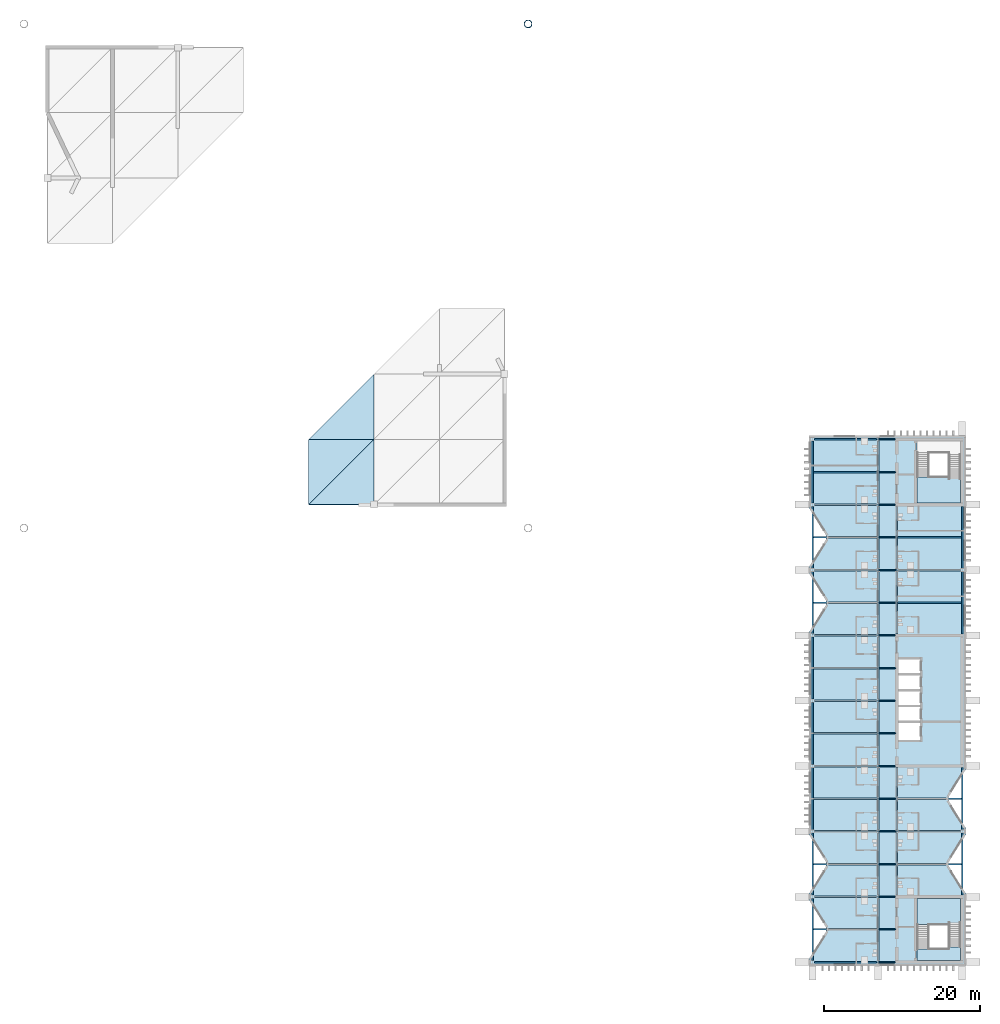
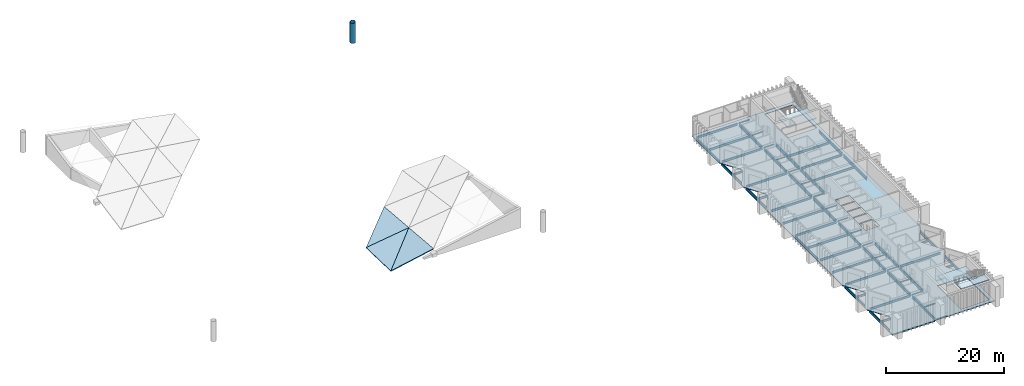
# One storey, part 7 of 17: 64 beams, 7 slabs, 1 column, 2 elements without a shape of their own.
"""IFC4 building model written with IfcOpenShell, lengths in metres."""

from ifc_helpers import new_model, si_unit, direction, frame, origin, origin_2d, place, context, subcontext, project, spatial, polyline, hollow_circle, i_section, outline, extrude, material, layer, layer_set, material_profile, profile_set, type_object, element, aggregate, save


model = new_model("IFC4")

# Units and contexts
model_context = context("Model", 3, precision=1e-05, world=origin(), true_north=direction((0.0, 1.0)))
body_context = subcontext(model_context, "Body", "Model", "MODEL_VIEW")
ifc_project = project(units=[si_unit("LENGTHUNIT", "METRE"), si_unit("AREAUNIT", "SQUARE_METRE"), si_unit("VOLUMEUNIT", "CUBIC_METRE"), si_unit("PLANEANGLEUNIT", "RADIAN"), si_unit("MASSUNIT", "GRAM", prefix="KILO")], contexts=[model_context])

# Site, building, storey
site_placement = place(None, origin())
site = spatial("IfcSite", under=ifc_project, at=site_placement, CompositionType="ELEMENT")
building_placement = place(site_placement, origin())
building = spatial("IfcBuilding", under=site, at=building_placement, Name="Cresset Court Congress Hotel", CompositionType="ELEMENT")
storey_placement = place(building_placement, frame((0.0, 0.0, 31.199951171875)))
storey = spatial("IfcBuildingStorey", under=building, at=storey_placement, Name="L07", CompositionType="ELEMENT", Elevation=31.199951171875)

# Column
ifc_material_1 = material(Name="Structural steel Q355B", Category="steel")
ifc_material_profile_1 = material_profile(ifc_material_1, hollow_circle(Radius=0.508056640625, WallThickness=0.050048828125, at=origin_2d()), Name="CHS1016x50")
ifc_profile_set_1 = profile_set([ifc_material_profile_1], Name="Structural steel Q355B")
column_type = type_object("IfcColumnType", Name="Mast tube 1016x50", PredefinedType="COLUMN", material=ifc_profile_set_1)
column_placement = place(storey_placement, frame((120.60009765625, 120.60009765625, 0.0), z_axis=(0.0, 0.0, 1.0), x_axis=(1.0, 0.0, 0.0)))
element("IfcColumn", 1, at=column_placement, inside=storey, type_object=column_type, Name="Mast M3", PredefinedType="COLUMN", context=body_context, shape_type="SweptSolid", body=[
    extrude(hollow_circle(Radius=0.508056640625, WallThickness=0.050048828125, at=origin_2d()), origin(), (0.0, 0.0, 1.0), 4.199951171875),
])

# Beams
ifc_material_2 = material(Name="Structural steel Q355B", Category="steel")
ifc_material_profile_2 = material_profile(ifc_material_2, i_section(OverallWidth=0.198974609375, OverallDepth=0.446044921875, WebThickness=0.008056640625, FlangeThickness=0.011962890625, FilletRadius=0.012939453125, at=origin_2d()), Name="HN446x199x8x12")
ifc_profile_set_2 = profile_set([ifc_material_profile_2], Name="Structural steel Q355B")
beam_type_1 = type_object("IfcBeamType", Name="Steel beam HN446x199x8x12", PredefinedType="BEAM", material=ifc_profile_set_2)
beam_1_placement = place(storey_placement, frame((157.39990234375, 0.0, -0.373046875), z_axis=(1.0, 0.0, 0.0), x_axis=(0.0, 1.0, 0.0)))
element("IfcBeam", 2, at=beam_1_placement, inside=storey, type_object=beam_type_1, Name="A.bm.L07.W.frame0.0", PredefinedType="BEAM", context=body_context, shape_type="SweptSolid", body=[
    extrude(i_section(OverallWidth=0.198974609375, OverallDepth=0.446044921875, WebThickness=0.008056640625, FlangeThickness=0.011962890625, FilletRadius=0.012939453125, at=origin_2d()), origin(), (0.0, 0.0, 1.0), 8.0),
])
beam_2_placement = place(storey_placement, frame((157.300048828125, 4.199951171875, -0.373046875), z_axis=(1.0, 0.0, 0.0), x_axis=(0.0, 1.0, 0.0)))
element("IfcBeam", 3, at=beam_2_placement, inside=storey, type_object=beam_type_1, Name="A.bm.L07.W.mid.0", PredefinedType="BEAM", context=body_context, shape_type="SweptSolid", body=[
    extrude(i_section(OverallWidth=0.198974609375, OverallDepth=0.446044921875, WebThickness=0.008056640625, FlangeThickness=0.011962890625, FilletRadius=0.012939453125, at=origin_2d()), origin(), (0.0, 0.0, 1.0), 8.199951171875),
])
beam_3_placement = place(storey_placement, frame((157.39990234375, 8.39990234375, -0.373046875), z_axis=(1.0, 0.0, 0.0), x_axis=(0.0, 1.0, 0.0)))
element("IfcBeam", 4, at=beam_3_placement, inside=storey, type_object=beam_type_1, Name="A.bm.L07.W.frame0.1", PredefinedType="BEAM", context=body_context, shape_type="SweptSolid", body=[
    extrude(i_section(OverallWidth=0.198974609375, OverallDepth=0.446044921875, WebThickness=0.008056640625, FlangeThickness=0.011962890625, FilletRadius=0.012939453125, at=origin_2d()), origin(), (0.0, 0.0, 1.0), 8.0),
])
for number, where, z_axis, x_axis, name in (
    (5, (157.300048828125, 12.60009765625, -0.373046875), (1.0, 0.0, 0.0), (0.0, 1.0, 0.0), "A.bm.L07.W.mid.1"),
    (6, (168.10009765625, 12.60009765625, -0.373046875), (1.0, 0.0, 0.0), (0.0, 1.0, 0.0), "A.bm.L07.E.mid.1"),
):
    element("IfcBeam", number, at=place(storey_placement, frame(where, z_axis=z_axis, x_axis=x_axis)), inside=storey, type_object=beam_type_1, Name=name, PredefinedType="BEAM", context=body_context, shape_type="SweptSolid", body=[
        extrude(i_section(OverallWidth=0.198974609375, OverallDepth=0.446044921875, WebThickness=0.008056640625, FlangeThickness=0.011962890625, FilletRadius=0.012939453125, at=origin_2d()), origin(), (0.0, 0.0, 1.0), 8.199951171875),
    ])
for number, where, z_axis, x_axis, name in (
    (7, (157.39990234375, 16.800048828125, -0.373046875), (1.0, 0.0, 0.0), (0.0, 1.0, 0.0), "A.bm.L07.W.frame0.2"),
    (8, (168.199951171875, 16.800048828125, -0.373046875), (1.0, 0.0, 0.0), (0.0, 1.0, 0.0), "A.bm.L07.E.frame0.2"),
):
    element("IfcBeam", number, at=place(storey_placement, frame(where, z_axis=z_axis, x_axis=x_axis)), inside=storey, type_object=beam_type_1, Name=name, PredefinedType="BEAM", context=body_context, shape_type="SweptSolid", body=[
        extrude(i_section(OverallWidth=0.198974609375, OverallDepth=0.446044921875, WebThickness=0.008056640625, FlangeThickness=0.011962890625, FilletRadius=0.012939453125, at=origin_2d()), origin(), (0.0, 0.0, 1.0), 8.0),
    ])
for number, where, z_axis, x_axis, name in (
    (9, (157.300048828125, 21.0, -0.373046875), (1.0, 0.0, 0.0), (0.0, 1.0, 0.0), "A.bm.L07.W.mid.2"),
    (10, (168.10009765625, 21.0, -0.373046875), (1.0, 0.0, 0.0), (0.0, 1.0, 0.0), "A.bm.L07.E.mid.2"),
):
    element("IfcBeam", number, at=place(storey_placement, frame(where, z_axis=z_axis, x_axis=x_axis)), inside=storey, type_object=beam_type_1, Name=name, PredefinedType="BEAM", context=body_context, shape_type="SweptSolid", body=[
        extrude(i_section(OverallWidth=0.198974609375, OverallDepth=0.446044921875, WebThickness=0.008056640625, FlangeThickness=0.011962890625, FilletRadius=0.012939453125, at=origin_2d()), origin(), (0.0, 0.0, 1.0), 8.199951171875),
    ])
beam_4_placement = place(storey_placement, frame((157.39990234375, 25.199951171875, -0.373046875), z_axis=(1.0, 0.0, 0.0), x_axis=(0.0, 1.0, 0.0)))
element("IfcBeam", 11, at=beam_4_placement, inside=storey, type_object=beam_type_1, Name="A.bm.L07.W.frame0.3", PredefinedType="BEAM", context=body_context, shape_type="SweptSolid", body=[
    extrude(i_section(OverallWidth=0.198974609375, OverallDepth=0.446044921875, WebThickness=0.008056640625, FlangeThickness=0.011962890625, FilletRadius=0.012939453125, at=origin_2d()), origin(), (0.0, 0.0, 1.0), 8.0),
])
beam_5_placement = place(storey_placement, frame((157.300048828125, 29.39990234375, -0.373046875), z_axis=(1.0, 0.0, 0.0), x_axis=(0.0, 1.0, 0.0)))
element("IfcBeam", 12, at=beam_5_placement, inside=storey, type_object=beam_type_1, Name="A.bm.L07.W.mid.3", PredefinedType="BEAM", context=body_context, shape_type="SweptSolid", body=[
    extrude(i_section(OverallWidth=0.198974609375, OverallDepth=0.446044921875, WebThickness=0.008056640625, FlangeThickness=0.011962890625, FilletRadius=0.012939453125, at=origin_2d()), origin(), (0.0, 0.0, 1.0), 8.199951171875),
])
beam_6_placement = place(storey_placement, frame((157.39990234375, 33.60009765625, -0.373046875), z_axis=(1.0, 0.0, 0.0), x_axis=(0.0, 1.0, 0.0)))
element("IfcBeam", 13, at=beam_6_placement, inside=storey, type_object=beam_type_1, Name="A.bm.L07.W.frame0.4", PredefinedType="BEAM", context=body_context, shape_type="SweptSolid", body=[
    extrude(i_section(OverallWidth=0.198974609375, OverallDepth=0.446044921875, WebThickness=0.008056640625, FlangeThickness=0.011962890625, FilletRadius=0.012939453125, at=origin_2d()), origin(), (0.0, 0.0, 1.0), 8.0),
])
beam_7_placement = place(storey_placement, frame((157.300048828125, 37.800048828125, -0.373046875), z_axis=(1.0, 0.0, 0.0), x_axis=(0.0, 1.0, 0.0)))
element("IfcBeam", 14, at=beam_7_placement, inside=storey, type_object=beam_type_1, Name="A.bm.L07.W.mid.4", PredefinedType="BEAM", context=body_context, shape_type="SweptSolid", body=[
    extrude(i_section(OverallWidth=0.198974609375, OverallDepth=0.446044921875, WebThickness=0.008056640625, FlangeThickness=0.011962890625, FilletRadius=0.012939453125, at=origin_2d()), origin(), (0.0, 0.0, 1.0), 8.199951171875),
])
beam_8_placement = place(storey_placement, frame((157.39990234375, 42.0, -0.373046875), z_axis=(1.0, 0.0, 0.0), x_axis=(0.0, 1.0, 0.0)))
element("IfcBeam", 15, at=beam_8_placement, inside=storey, type_object=beam_type_1, Name="A.bm.L07.W.frame0.5", PredefinedType="BEAM", context=body_context, shape_type="SweptSolid", body=[
    extrude(i_section(OverallWidth=0.198974609375, OverallDepth=0.446044921875, WebThickness=0.008056640625, FlangeThickness=0.011962890625, FilletRadius=0.012939453125, at=origin_2d()), origin(), (0.0, 0.0, 1.0), 8.0),
])
for number, where, z_axis, x_axis, name in (
    (16, (157.300048828125, 46.199951171875, -0.373046875), (1.0, 0.0, 0.0), (0.0, 1.0, 0.0), "A.bm.L07.W.mid.5"),
    (17, (168.10009765625, 46.199951171875, -0.373046875), (1.0, 0.0, 0.0), (0.0, 1.0, 0.0), "A.bm.L07.E.mid.5"),
):
    element("IfcBeam", number, at=place(storey_placement, frame(where, z_axis=z_axis, x_axis=x_axis)), inside=storey, type_object=beam_type_1, Name=name, PredefinedType="BEAM", context=body_context, shape_type="SweptSolid", body=[
        extrude(i_section(OverallWidth=0.198974609375, OverallDepth=0.446044921875, WebThickness=0.008056640625, FlangeThickness=0.011962890625, FilletRadius=0.012939453125, at=origin_2d()), origin(), (0.0, 0.0, 1.0), 8.199951171875),
    ])
for number, where, z_axis, x_axis, name in (
    (18, (157.39990234375, 50.39990234375, -0.373046875), (1.0, 0.0, 0.0), (0.0, 1.0, 0.0), "A.bm.L07.W.frame0.6"),
    (19, (168.199951171875, 50.39990234375, -0.373046875), (1.0, 0.0, 0.0), (0.0, 1.0, 0.0), "A.bm.L07.E.frame0.6"),
):
    element("IfcBeam", number, at=place(storey_placement, frame(where, z_axis=z_axis, x_axis=x_axis)), inside=storey, type_object=beam_type_1, Name=name, PredefinedType="BEAM", context=body_context, shape_type="SweptSolid", body=[
        extrude(i_section(OverallWidth=0.198974609375, OverallDepth=0.446044921875, WebThickness=0.008056640625, FlangeThickness=0.011962890625, FilletRadius=0.012939453125, at=origin_2d()), origin(), (0.0, 0.0, 1.0), 8.0),
    ])
for number, where, z_axis, x_axis, name in (
    (20, (157.300048828125, 54.60009765625, -0.373046875), (1.0, 0.0, 0.0), (0.0, 1.0, 0.0), "A.bm.L07.W.mid.6"),
    (21, (168.10009765625, 54.60009765625, -0.373046875), (1.0, 0.0, 0.0), (0.0, 1.0, 0.0), "A.bm.L07.E.mid.6"),
):
    element("IfcBeam", number, at=place(storey_placement, frame(where, z_axis=z_axis, x_axis=x_axis)), inside=storey, type_object=beam_type_1, Name=name, PredefinedType="BEAM", context=body_context, shape_type="SweptSolid", body=[
        extrude(i_section(OverallWidth=0.198974609375, OverallDepth=0.446044921875, WebThickness=0.008056640625, FlangeThickness=0.011962890625, FilletRadius=0.012939453125, at=origin_2d()), origin(), (0.0, 0.0, 1.0), 8.199951171875),
    ])
beam_9_placement = place(storey_placement, frame((157.39990234375, 58.800048828125, -0.373046875), z_axis=(1.0, 0.0, 0.0), x_axis=(0.0, 1.0, 0.0)))
element("IfcBeam", 22, at=beam_9_placement, inside=storey, type_object=beam_type_1, Name="A.bm.L07.W.frame0.7", PredefinedType="BEAM", context=body_context, shape_type="SweptSolid", body=[
    extrude(i_section(OverallWidth=0.198974609375, OverallDepth=0.446044921875, WebThickness=0.008056640625, FlangeThickness=0.011962890625, FilletRadius=0.012939453125, at=origin_2d()), origin(), (0.0, 0.0, 1.0), 8.0),
])
beam_10_placement = place(storey_placement, frame((157.300048828125, 63.0, -0.373046875), z_axis=(1.0, 0.0, 0.0), x_axis=(0.0, 1.0, 0.0)))
element("IfcBeam", 23, at=beam_10_placement, inside=storey, type_object=beam_type_1, Name="A.bm.L07.W.mid.7", PredefinedType="BEAM", context=body_context, shape_type="SweptSolid", body=[
    extrude(i_section(OverallWidth=0.198974609375, OverallDepth=0.446044921875, WebThickness=0.008056640625, FlangeThickness=0.011962890625, FilletRadius=0.012939453125, at=origin_2d()), origin(), (0.0, 0.0, 1.0), 8.199951171875),
])
beam_11_placement = place(storey_placement, frame((157.39990234375, 67.199951171875, -0.373046875), z_axis=(1.0, 0.0, 0.0), x_axis=(0.0, 1.0, 0.0)))
element("IfcBeam", 24, at=beam_11_placement, inside=storey, type_object=beam_type_1, Name="A.bm.L07.W.frame1.7", PredefinedType="BEAM", context=body_context, shape_type="SweptSolid", body=[
    extrude(i_section(OverallWidth=0.198974609375, OverallDepth=0.446044921875, WebThickness=0.008056640625, FlangeThickness=0.011962890625, FilletRadius=0.012939453125, at=origin_2d()), origin(), (0.0, 0.0, 1.0), 8.0),
])
ifc_material_3 = material(Name="Structural steel Q355B", Category="steel")
ifc_material_profile_3 = material_profile(ifc_material_3, i_section(OverallWidth=0.125, OverallDepth=0.25, WebThickness=0.006103515625, FlangeThickness=0.009033203125, FilletRadius=0.012939453125, at=origin_2d()), Name="HN250x125x6x9")
ifc_profile_set_3 = profile_set([ifc_material_profile_3], Name="Structural steel Q355B")
beam_type_2 = type_object("IfcBeamType", Name="Steel corridor beam HN250x125x6x9", PredefinedType="BEAM", material=ifc_profile_set_3)
beam_12_placement = place(storey_placement, frame((165.6064453125, 0.0, -0.27490234375), z_axis=(1.0, 0.0, 0.0), x_axis=(0.0, 1.0, 0.0)))
element("IfcBeam", 25, at=beam_12_placement, inside=storey, type_object=beam_type_2, Name="A.bm.L07.C.frame0.0", PredefinedType="BEAM", context=body_context, shape_type="SweptSolid", body=[
    extrude(i_section(OverallWidth=0.125, OverallDepth=0.25, WebThickness=0.006103515625, FlangeThickness=0.009033203125, FilletRadius=0.012939453125, at=origin_2d()), origin(), (0.0, 0.0, 1.0), 2.193603515625),
])
beam_13_placement = place(storey_placement, frame((165.699951171875, 4.199951171875, -0.27490234375), z_axis=(1.0, 0.0, 0.0), x_axis=(0.0, 1.0, 0.0)))
element("IfcBeam", 26, at=beam_13_placement, inside=storey, type_object=beam_type_2, Name="A.bm.L07.C.mid.0", PredefinedType="BEAM", context=body_context, shape_type="SweptSolid", body=[
    extrude(i_section(OverallWidth=0.125, OverallDepth=0.25, WebThickness=0.006103515625, FlangeThickness=0.009033203125, FilletRadius=0.012939453125, at=origin_2d()), origin(), (0.0, 0.0, 1.0), 2.199951171875),
])
beam_14_placement = place(storey_placement, frame((165.6064453125, 8.39990234375, -0.27490234375), z_axis=(1.0, 0.0, 0.0), x_axis=(0.0, 1.0, 0.0)))
element("IfcBeam", 27, at=beam_14_placement, inside=storey, type_object=beam_type_2, Name="A.bm.L07.C.frame0.1", PredefinedType="BEAM", context=body_context, shape_type="SweptSolid", body=[
    extrude(i_section(OverallWidth=0.125, OverallDepth=0.25, WebThickness=0.006103515625, FlangeThickness=0.009033203125, FilletRadius=0.012939453125, at=origin_2d()), origin(), (0.0, 0.0, 1.0), 2.193603515625),
])
beam_15_placement = place(storey_placement, frame((165.699951171875, 12.60009765625, -0.27490234375), z_axis=(1.0, 0.0, 0.0), x_axis=(0.0, 1.0, 0.0)))
element("IfcBeam", 28, at=beam_15_placement, inside=storey, type_object=beam_type_2, Name="A.bm.L07.C.mid.1", PredefinedType="BEAM", context=body_context, shape_type="SweptSolid", body=[
    extrude(i_section(OverallWidth=0.125, OverallDepth=0.25, WebThickness=0.006103515625, FlangeThickness=0.009033203125, FilletRadius=0.012939453125, at=origin_2d()), origin(), (0.0, 0.0, 1.0), 2.199951171875),
])
beam_16_placement = place(storey_placement, frame((165.6064453125, 16.800048828125, -0.27490234375), z_axis=(1.0, 0.0, 0.0), x_axis=(0.0, 1.0, 0.0)))
element("IfcBeam", 29, at=beam_16_placement, inside=storey, type_object=beam_type_2, Name="A.bm.L07.C.frame0.2", PredefinedType="BEAM", context=body_context, shape_type="SweptSolid", body=[
    extrude(i_section(OverallWidth=0.125, OverallDepth=0.25, WebThickness=0.006103515625, FlangeThickness=0.009033203125, FilletRadius=0.012939453125, at=origin_2d()), origin(), (0.0, 0.0, 1.0), 2.386962890625),
])
beam_17_placement = place(storey_placement, frame((165.699951171875, 21.0, -0.27490234375), z_axis=(1.0, 0.0, 0.0), x_axis=(0.0, 1.0, 0.0)))
element("IfcBeam", 30, at=beam_17_placement, inside=storey, type_object=beam_type_2, Name="A.bm.L07.C.mid.2", PredefinedType="BEAM", context=body_context, shape_type="SweptSolid", body=[
    extrude(i_section(OverallWidth=0.125, OverallDepth=0.25, WebThickness=0.006103515625, FlangeThickness=0.009033203125, FilletRadius=0.012939453125, at=origin_2d()), origin(), (0.0, 0.0, 1.0), 2.199951171875),
])
beam_18_placement = place(storey_placement, frame((165.6064453125, 25.199951171875, -0.27490234375), z_axis=(1.0, 0.0, 0.0), x_axis=(0.0, 1.0, 0.0)))
element("IfcBeam", 31, at=beam_18_placement, inside=storey, type_object=beam_type_2, Name="A.bm.L07.C.frame0.3", PredefinedType="BEAM", context=body_context, shape_type="SweptSolid", body=[
    extrude(i_section(OverallWidth=0.125, OverallDepth=0.25, WebThickness=0.006103515625, FlangeThickness=0.009033203125, FilletRadius=0.012939453125, at=origin_2d()), origin(), (0.0, 0.0, 1.0), 2.193603515625),
])
beam_19_placement = place(storey_placement, frame((165.699951171875, 29.39990234375, -0.27490234375), z_axis=(1.0, 0.0, 0.0), x_axis=(0.0, 1.0, 0.0)))
element("IfcBeam", 32, at=beam_19_placement, inside=storey, type_object=beam_type_2, Name="A.bm.L07.C.mid.3", PredefinedType="BEAM", context=body_context, shape_type="SweptSolid", body=[
    extrude(i_section(OverallWidth=0.125, OverallDepth=0.25, WebThickness=0.006103515625, FlangeThickness=0.009033203125, FilletRadius=0.012939453125, at=origin_2d()), origin(), (0.0, 0.0, 1.0), 2.199951171875),
])
beam_20_placement = place(storey_placement, frame((165.6064453125, 33.60009765625, -0.27490234375), z_axis=(1.0, 0.0, 0.0), x_axis=(0.0, 1.0, 0.0)))
element("IfcBeam", 33, at=beam_20_placement, inside=storey, type_object=beam_type_2, Name="A.bm.L07.C.frame0.4", PredefinedType="BEAM", context=body_context, shape_type="SweptSolid", body=[
    extrude(i_section(OverallWidth=0.125, OverallDepth=0.25, WebThickness=0.006103515625, FlangeThickness=0.009033203125, FilletRadius=0.012939453125, at=origin_2d()), origin(), (0.0, 0.0, 1.0), 2.193603515625),
])
beam_21_placement = place(storey_placement, frame((165.699951171875, 37.800048828125, -0.27490234375), z_axis=(1.0, 0.0, 0.0), x_axis=(0.0, 1.0, 0.0)))
element("IfcBeam", 34, at=beam_21_placement, inside=storey, type_object=beam_type_2, Name="A.bm.L07.C.mid.4", PredefinedType="BEAM", context=body_context, shape_type="SweptSolid", body=[
    extrude(i_section(OverallWidth=0.125, OverallDepth=0.25, WebThickness=0.006103515625, FlangeThickness=0.009033203125, FilletRadius=0.012939453125, at=origin_2d()), origin(), (0.0, 0.0, 1.0), 2.199951171875),
])
beam_22_placement = place(storey_placement, frame((165.6064453125, 42.0, -0.27490234375), z_axis=(1.0, 0.0, 0.0), x_axis=(0.0, 1.0, 0.0)))
element("IfcBeam", 35, at=beam_22_placement, inside=storey, type_object=beam_type_2, Name="A.bm.L07.C.frame0.5", PredefinedType="BEAM", context=body_context, shape_type="SweptSolid", body=[
    extrude(i_section(OverallWidth=0.125, OverallDepth=0.25, WebThickness=0.006103515625, FlangeThickness=0.009033203125, FilletRadius=0.012939453125, at=origin_2d()), origin(), (0.0, 0.0, 1.0), 2.193603515625),
])
beam_23_placement = place(storey_placement, frame((165.699951171875, 46.199951171875, -0.27490234375), z_axis=(1.0, 0.0, 0.0), x_axis=(0.0, 1.0, 0.0)))
element("IfcBeam", 36, at=beam_23_placement, inside=storey, type_object=beam_type_2, Name="A.bm.L07.C.mid.5", PredefinedType="BEAM", context=body_context, shape_type="SweptSolid", body=[
    extrude(i_section(OverallWidth=0.125, OverallDepth=0.25, WebThickness=0.006103515625, FlangeThickness=0.009033203125, FilletRadius=0.012939453125, at=origin_2d()), origin(), (0.0, 0.0, 1.0), 2.199951171875),
])
beam_24_placement = place(storey_placement, frame((165.6064453125, 50.39990234375, -0.27490234375), z_axis=(1.0, 0.0, 0.0), x_axis=(0.0, 1.0, 0.0)))
element("IfcBeam", 37, at=beam_24_placement, inside=storey, type_object=beam_type_2, Name="A.bm.L07.C.frame0.6", PredefinedType="BEAM", context=body_context, shape_type="SweptSolid", body=[
    extrude(i_section(OverallWidth=0.125, OverallDepth=0.25, WebThickness=0.006103515625, FlangeThickness=0.009033203125, FilletRadius=0.012939453125, at=origin_2d()), origin(), (0.0, 0.0, 1.0), 2.386962890625),
])
beam_25_placement = place(storey_placement, frame((165.699951171875, 54.60009765625, -0.27490234375), z_axis=(1.0, 0.0, 0.0), x_axis=(0.0, 1.0, 0.0)))
element("IfcBeam", 38, at=beam_25_placement, inside=storey, type_object=beam_type_2, Name="A.bm.L07.C.mid.6", PredefinedType="BEAM", context=body_context, shape_type="SweptSolid", body=[
    extrude(i_section(OverallWidth=0.125, OverallDepth=0.25, WebThickness=0.006103515625, FlangeThickness=0.009033203125, FilletRadius=0.012939453125, at=origin_2d()), origin(), (0.0, 0.0, 1.0), 2.199951171875),
])
beam_26_placement = place(storey_placement, frame((165.6064453125, 58.800048828125, -0.27490234375), z_axis=(1.0, 0.0, 0.0), x_axis=(0.0, 1.0, 0.0)))
element("IfcBeam", 39, at=beam_26_placement, inside=storey, type_object=beam_type_2, Name="A.bm.L07.C.frame0.7", PredefinedType="BEAM", context=body_context, shape_type="SweptSolid", body=[
    extrude(i_section(OverallWidth=0.125, OverallDepth=0.25, WebThickness=0.006103515625, FlangeThickness=0.009033203125, FilletRadius=0.012939453125, at=origin_2d()), origin(), (0.0, 0.0, 1.0), 2.193603515625),
])
beam_27_placement = place(storey_placement, frame((165.699951171875, 63.0, -0.27490234375), z_axis=(1.0, 0.0, 0.0), x_axis=(0.0, 1.0, 0.0)))
element("IfcBeam", 40, at=beam_27_placement, inside=storey, type_object=beam_type_2, Name="A.bm.L07.C.mid.7", PredefinedType="BEAM", context=body_context, shape_type="SweptSolid", body=[
    extrude(i_section(OverallWidth=0.125, OverallDepth=0.25, WebThickness=0.006103515625, FlangeThickness=0.009033203125, FilletRadius=0.012939453125, at=origin_2d()), origin(), (0.0, 0.0, 1.0), 2.199951171875),
])
beam_28_placement = place(storey_placement, frame((165.6064453125, 67.199951171875, -0.27490234375), z_axis=(1.0, 0.0, 0.0), x_axis=(0.0, 1.0, 0.0)))
element("IfcBeam", 41, at=beam_28_placement, inside=storey, type_object=beam_type_2, Name="A.bm.L07.C.frame1.7", PredefinedType="BEAM", context=body_context, shape_type="SweptSolid", body=[
    extrude(i_section(OverallWidth=0.125, OverallDepth=0.25, WebThickness=0.006103515625, FlangeThickness=0.009033203125, FilletRadius=0.012939453125, at=origin_2d()), origin(), (0.0, 0.0, 1.0), 2.193603515625),
])
ifc_material_4 = material(Name="Structural steel Q355B", Category="steel")
ifc_material_profile_4 = material_profile(ifc_material_4, i_section(OverallWidth=0.199951171875, OverallDepth=0.60009765625, WebThickness=0.010986328125, FlangeThickness=0.01708984375, FilletRadius=0.012939453125, at=origin_2d()), Name="HN600x200x11x17")
ifc_profile_set_4 = profile_set([ifc_material_profile_4], Name="Structural steel Q355B")
beam_type_3 = type_object("IfcBeamType", Name="Steel girder HN600x200x11x17", PredefinedType="BEAM", material=ifc_profile_set_4)
for number, where, z_axis, x_axis, name in (
    (42, (157.199951171875, 0.199951171875, -0.449951171875), (0.0, 1.0, 0.0), (-1.0, 0.0, 0.0), "A.gir.L07.0.0"),
    (43, (157.199951171875, 8.60009765625, -0.449951171875), (0.0, 1.0, 0.0), (-1.0, 0.0, 0.0), "A.gir.L07.0.1"),
    (44, (157.199951171875, 17.0, -0.449951171875), (0.0, 1.0, 0.0), (-1.0, 0.0, 0.0), "A.gir.L07.0.2"),
    (45, (157.199951171875, 25.39990234375, -0.449951171875), (0.0, 1.0, 0.0), (-1.0, 0.0, 0.0), "A.gir.L07.0.3"),
    (46, (157.199951171875, 33.800048828125, -0.449951171875), (0.0, 1.0, 0.0), (-1.0, 0.0, 0.0), "A.gir.L07.0.4"),
    (47, (157.199951171875, 42.199951171875, -0.449951171875), (0.0, 1.0, 0.0), (-1.0, 0.0, 0.0), "A.gir.L07.0.5"),
    (48, (157.199951171875, 50.60009765625, -0.449951171875), (0.0, 1.0, 0.0), (-1.0, 0.0, 0.0), "A.gir.L07.0.6"),
    (49, (157.199951171875, 59.0, -0.449951171875), (0.0, 1.0, 0.0), (-1.0, 0.0, 0.0), "A.gir.L07.0.7"),
    (50, (165.60009765625, 0.199951171875, -0.449951171875), (0.0, 1.0, 0.0), (-1.0, 0.0, 0.0), "A.gir.L07.1.0"),
    (51, (165.60009765625, 8.60009765625, -0.449951171875), (0.0, 1.0, 0.0), (-1.0, 0.0, 0.0), "A.gir.L07.1.1"),
    (52, (165.60009765625, 17.0, -0.449951171875), (0.0, 1.0, 0.0), (-1.0, 0.0, 0.0), "A.gir.L07.1.2"),
    (53, (165.60009765625, 25.39990234375, -0.449951171875), (0.0, 1.0, 0.0), (-1.0, 0.0, 0.0), "A.gir.L07.1.3"),
    (54, (165.60009765625, 33.800048828125, -0.449951171875), (0.0, 1.0, 0.0), (-1.0, 0.0, 0.0), "A.gir.L07.1.4"),
    (55, (165.60009765625, 42.199951171875, -0.449951171875), (0.0, 1.0, 0.0), (-1.0, 0.0, 0.0), "A.gir.L07.1.5"),
    (56, (165.60009765625, 50.60009765625, -0.449951171875), (0.0, 1.0, 0.0), (-1.0, 0.0, 0.0), "A.gir.L07.1.6"),
    (57, (165.60009765625, 59.0, -0.449951171875), (0.0, 1.0, 0.0), (-1.0, 0.0, 0.0), "A.gir.L07.1.7"),
    (58, (168.0, 8.60009765625, -0.449951171875), (0.0, 1.0, 0.0), (-1.0, 0.0, 0.0), "A.gir.L07.2.1"),
    (59, (168.0, 17.0, -0.449951171875), (0.0, 1.0, 0.0), (-1.0, 0.0, 0.0), "A.gir.L07.2.2"),
    (60, (168.0, 42.199951171875, -0.449951171875), (0.0, 1.0, 0.0), (-1.0, 0.0, 0.0), "A.gir.L07.2.5"),
    (61, (168.0, 50.60009765625, -0.449951171875), (0.0, 1.0, 0.0), (-1.0, 0.0, 0.0), "A.gir.L07.2.6"),
    (62, (176.39990234375, 8.60009765625, -0.449951171875), (0.0, 1.0, 0.0), (-1.0, 0.0, 0.0), "A.gir.L07.3.1"),
    (63, (176.39990234375, 17.0, -0.449951171875), (0.0, 1.0, 0.0), (-1.0, 0.0, 0.0), "A.gir.L07.3.2"),
    (64, (176.39990234375, 42.199951171875, -0.449951171875), (0.0, 1.0, 0.0), (-1.0, 0.0, 0.0), "A.gir.L07.3.5"),
    (65, (176.39990234375, 50.60009765625, -0.449951171875), (0.0, 1.0, 0.0), (-1.0, 0.0, 0.0), "A.gir.L07.3.6"),
):
    element("IfcBeam", number, at=place(storey_placement, frame(where, z_axis=z_axis, x_axis=x_axis)), inside=storey, type_object=beam_type_3, Name=name, PredefinedType="BEAM", context=body_context, shape_type="SweptSolid", body=[
        extrude(i_section(OverallWidth=0.199951171875, OverallDepth=0.60009765625, WebThickness=0.010986328125, FlangeThickness=0.01708984375, FilletRadius=0.012939453125, at=origin_2d()), origin(), (0.0, 0.0, 1.0), 8.0),
    ])

# Slabs
ifc_material_5 = material(Name="Concrete C35", Category="concrete")
ifc_layer_1 = layer(ifc_material_5, 0.14990234375)
ifc_layer_set_1 = layer_set([ifc_layer_1], Name="Composite floor slab 150")
slab_type_1 = type_object("IfcSlabType", Name="Composite floor slab 150", PredefinedType="FLOOR", material=ifc_layer_set_1)
slab_1_placement = place(storey_placement, frame((0.0, 0.0, -0.14990234375)))
element("IfcSlab", 66, at=slab_1_placement, inside=storey, type_object=slab_type_1, Name="A.slab.L07", PredefinedType="FLOOR", context=body_context, shape_type="SweptSolid", body=[
    extrude(outline(polyline([(156.699951171875, -0.5), (176.89990234375, -0.5), (176.89990234375, 8.7900390625), (174.665283203125, 12.375), (174.665283203125, 12.824951171875), (176.89990234375, 16.409912109375), (176.89990234375, 17.190185546875), (174.665283203125, 20.77490234375), (174.665283203125, 21.22509765625), (176.89990234375, 24.809814453125), (176.89990234375, 67.699951171875), (156.699951171875, 67.699951171875), (156.699951171875, 58.409912109375), (158.934814453125, 54.824951171875), (158.934814453125, 54.375), (156.699951171875, 50.7900390625), (156.699951171875, 50.010009765625), (158.934814453125, 46.425048828125), (158.934814453125, 45.97509765625), (156.699951171875, 42.39013671875), (156.699951171875, 16.409912109375), (158.934814453125, 12.824951171875), (158.934814453125, 12.375), (156.699951171875, 8.7900390625), (156.699951171875, 8.010009765625), (158.934814453125, 4.425048828125), (158.934814453125, 3.97509765625), (156.699951171875, 0.39013671875), (156.699951171875, -0.5)]), holes=[polyline([(170.60009765625, 0.199951171875), (176.199951171875, 0.199951171875), (176.199951171875, 8.199951171875), (170.60009765625, 8.199951171875), (170.60009765625, 0.199951171875)]), polyline([(170.60009765625, 59.0), (176.199951171875, 59.0), (176.199951171875, 67.0), (170.60009765625, 67.0), (170.60009765625, 59.0)]), polyline([(168.25, 28.550048828125), (171.0, 28.550048828125), (171.0, 30.75), (168.25, 30.75), (168.25, 28.550048828125)]), polyline([(168.25, 31.0), (171.0, 31.0), (171.0, 32.800048828125), (168.25, 32.800048828125), (168.25, 31.0)]), polyline([(168.25, 33.050048828125), (171.0, 33.050048828125), (171.0, 34.85009765625), (168.25, 34.85009765625), (168.25, 33.050048828125)]), polyline([(168.25, 35.10009765625), (171.0, 35.10009765625), (171.0, 36.89990234375), (168.25, 36.89990234375), (168.25, 35.10009765625)]), polyline([(168.25, 37.14990234375), (171.0, 37.14990234375), (171.0, 38.949951171875), (168.25, 38.949951171875), (168.25, 37.14990234375)])]), origin(), (0.0, 0.0, 1.0), 0.14990234375),
])
ifc_material_6 = material(Name="Titanium-zinc standing seam roof panel")
ifc_layer_2 = layer(ifc_material_6, 0.14990234375)
ifc_layer_set_2 = layer_set([ifc_layer_2], Name="Roof cover facet 150")
slab_type_2 = type_object("IfcSlabType", Name="Roof cover facet 150", PredefinedType="ROOF", material=ifc_layer_set_2)
slab_2_placement = place(storey_placement, frame((92.39990234375, 58.800048828125, -0.2265625), z_axis=(-0.196066467965, 0.084051211162, 0.976981747036), x_axis=(0.9804511359, 0.0, 0.196762725416)))
element("IfcSlab", 67, at=slab_2_placement, inside=storey, type_object=slab_type_2, Name="Roof panel RP-51A", PredefinedType="ROOF", context=body_context, shape_type="SweptSolid", body=[
    extrude(outline(polyline([(0.0, 0.0), (8.567633997044904, 0.0), (8.425442183756026, 8.429731486140852), (0.0, 0.0)])), origin(), (0.0, 0.0, -1.0), 0.14990234375),
])
slab_3_placement = place(storey_placement, frame((92.39990234375, 58.800048828125, -0.2265625), z_axis=(-0.141835415136, 0.028385162926, 0.989483197199), x_axis=(0.704804407959, 0.704783923627, 0.080810689377)))
element("IfcSlab", 68, at=slab_3_placement, inside=storey, type_object=slab_type_2, Name="Roof panel RP-51B", PredefinedType="ROOF", context=body_context, shape_type="SweptSolid", body=[
    extrude(outline(polyline([(0.0, 0.0), (11.918407985979082, -2.498001805406602e-16), (5.900643438942314, 5.983212463902647), (0.0, 0.0)])), origin(), (0.0, 0.0, -1.0), 0.14990234375),
])
slab_4_placement = place(storey_placement, frame((92.39990234375, 67.199951171875, -0.467529296875), z_axis=(-0.141381213468, 0.084822994861, 0.986314560382), x_axis=(0.989882060194, 0.0, 0.141892589324)))
element("IfcSlab", 69, at=slab_4_placement, inside=storey, type_object=slab_type_2, Name="Roof panel RP-52A", PredefinedType="ROOF", context=body_context, shape_type="SweptSolid", body=[
    extrude(outline(polyline([(0.0, 0.0), (8.486007396401009, 0.0), (8.383502471642604, 8.430529814616019), (0.0, 0.0)])), origin(), (0.0, 0.0, -1.0), 0.14990234375),
])

# Stair, slabs
ifc_material_7 = material(Name="Concrete C40", Category="concrete")
stair_type = type_object("IfcStairType", Name="Concrete dog-leg stair 5600", PredefinedType="HALF_TURN_STAIR", material=ifc_material_7)
stair_1_placement = place(storey_placement, origin())
stair_1 = element("IfcStair", 70, at=stair_1_placement, inside=storey, type_object=stair_type, Name="Stair A1 L07", PredefinedType="HALF_TURN_STAIR")
ifc_material_8 = material(Name="Concrete C40", Category="concrete")
ifc_layer_3 = layer(ifc_material_8, 0.199951171875)
ifc_layer_set_3 = layer_set([ifc_layer_3], Name="Stair landing 200")
slab_type_3 = type_object("IfcSlabType", Name="Stair landing 200", PredefinedType="LANDING", material=ifc_layer_set_3)
slab_5_placement = place(storey_placement, frame((0.0, 0.0, 1.900146484375)))
slab_5 = element("IfcSlab", 71, at=slab_5_placement, type_object=slab_type_3, Name="A-ST1 landing 1", PredefinedType="LANDING", context=body_context, shape_type="SweptSolid", body=[
    extrude(outline(polyline([(170.60009765625, 4.819091796875), (176.199951171875, 4.819091796875), (176.199951171875, 8.199951171875), (170.60009765625, 8.199951171875), (170.60009765625, 4.819091796875)])), origin(), (0.0, 0.0, 1.0), 0.199951171875),
])
slab_6_placement = place(storey_placement, frame((0.0, 0.0, 4.0)))
slab_6 = element("IfcSlab", 72, at=slab_6_placement, type_object=slab_type_3, Name="A-ST1 landing 2", PredefinedType="LANDING", context=body_context, shape_type="SweptSolid", body=[
    extrude(outline(polyline([(170.60009765625, 0.199951171875), (176.199951171875, 0.199951171875), (176.199951171875, 1.960693359375), (174.699951171875, 1.960693359375), (174.699951171875, 1.70068359375), (170.60009765625, 1.70068359375), (170.60009765625, 0.199951171875)])), origin(), (0.0, 0.0, 1.0), 0.199951171875),
])
aggregate(stair_1, [slab_5, slab_6])

# Stair, slab
stair_2_placement = place(storey_placement, origin())
stair_2 = element("IfcStair", 73, at=stair_2_placement, inside=storey, type_object=stair_type, Name="Stair A2 L07", PredefinedType="HALF_TURN_STAIR")
slab_7_placement = place(storey_placement, frame((0.0, 0.0, 1.900146484375)))
slab_7 = element("IfcSlab", 74, at=slab_7_placement, type_object=slab_type_3, Name="A-ST1 landing 1", PredefinedType="LANDING", context=body_context, shape_type="SweptSolid", body=[
    extrude(outline(polyline([(170.60009765625, 62.380859375), (176.199951171875, 62.380859375), (176.199951171875, 59.0), (170.60009765625, 59.0), (170.60009765625, 62.380859375)])), origin(), (0.0, 0.0, 1.0), 0.199951171875),
])
aggregate(stair_2, [slab_7])

save(model, "model.ifc")
